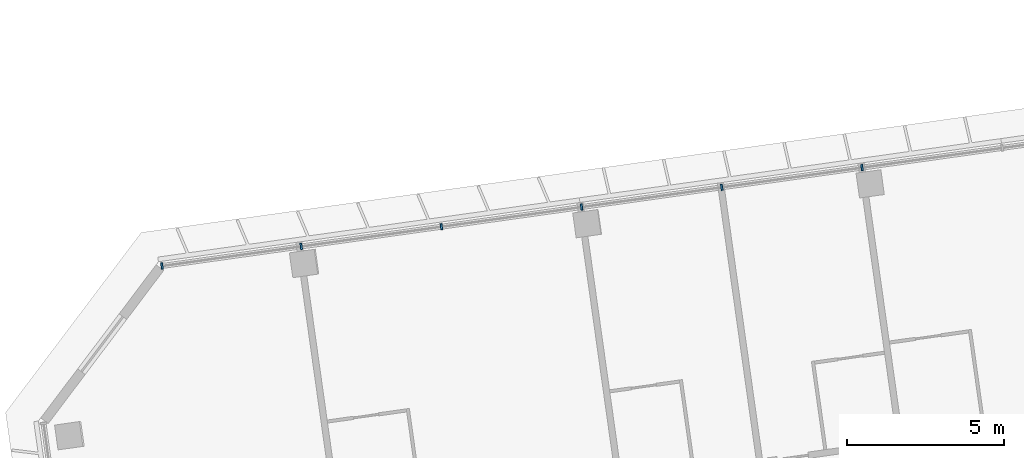
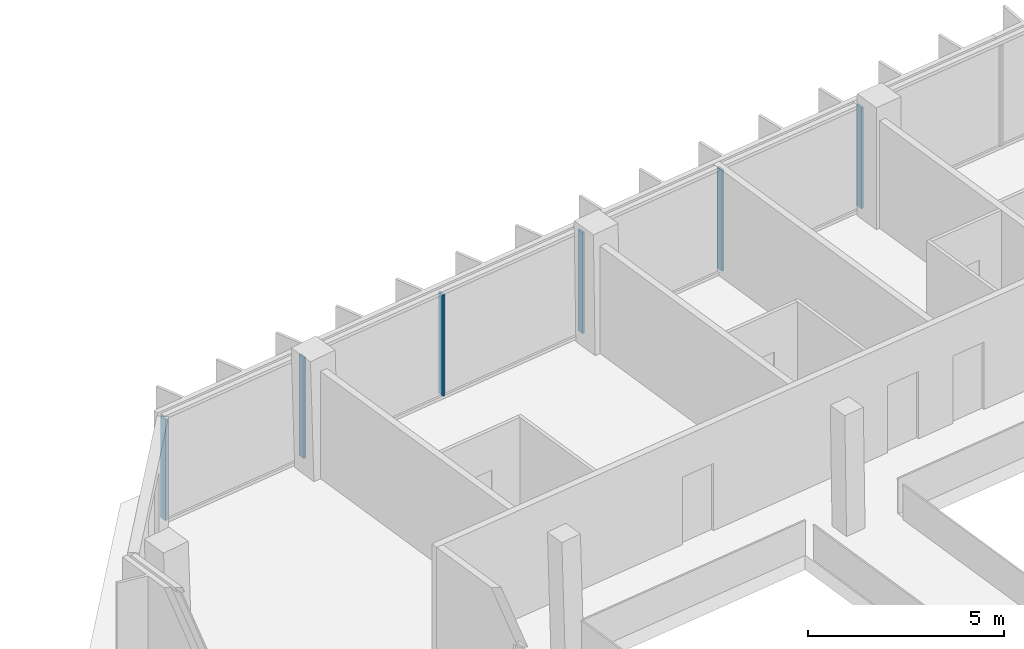
# One storey, part 11 of 26: 6 members, 1 element without a shape of its own.
"""IFC4 building model written with IfcOpenShell, lengths in metres."""

from ifc_helpers import new_model, si_unit, direction, frame, origin, origin_2d, place, context, subcontext, project, spatial, rectangle, extrude, material, material_profile, profile_set, type_object, element, aggregate, save


model = new_model("IFC4")

# Units and contexts
model_context = context("Model", 3, precision=1e-05, world=origin(), true_north=direction((0.0, 1.0)))
body_context = subcontext(model_context, "Body", "Model", "MODEL_VIEW")
ifc_project = project(units=[si_unit("LENGTHUNIT", "METRE"), si_unit("AREAUNIT", "SQUARE_METRE"), si_unit("VOLUMEUNIT", "CUBIC_METRE"), si_unit("PLANEANGLEUNIT", "RADIAN"), si_unit("MASSUNIT", "GRAM", prefix="KILO")], contexts=[model_context])

# Site, building, storey
site_placement = place(None, origin())
site = spatial("IfcSite", under=ifc_project, at=site_placement, CompositionType="ELEMENT")
building_placement = place(site_placement, origin())
building = spatial("IfcBuilding", under=site, at=building_placement, Name="Mirante Cascada Hotel Towers", CompositionType="ELEMENT")
storey_placement = place(building_placement, frame((0.0, 0.0, 168.8)))
storey = spatial("IfcBuildingStorey", under=building, at=storey_placement, Name="L39", CompositionType="ELEMENT", Elevation=168.8)

# Curtain wall, members
ifc_material_1 = material(Name="Aluminium mullion and transom frame with clear laminated glass", Category="aluminium")
curtain_wall_type = type_object("IfcCurtainWallType", Name="Ribbon curtain wall ECW1", PredefinedType="NOTDEFINED", material=ifc_material_1)
curtain_wall_placement = place(storey_placement, origin())
curtain_wall = element("IfcCurtainWall", 1, at=curtain_wall_placement, inside=storey, type_object=curtain_wall_type, Name="Front ribbon wall T2 L39", PredefinedType="NOTDEFINED")
ifc_material_2 = material(Name="Anodised aluminium extrusion", Category="aluminium")
ifc_material_profile = material_profile(ifc_material_2, rectangle(XDim=0.2, YDim=0.065, at=origin_2d()), Name="ECW1 MULLION 65x200")
ifc_profile_set = profile_set([ifc_material_profile], Name="Anodised aluminium extrusion")
member_type = type_object("IfcMemberType", Name="ECW1 mullion 65x200", PredefinedType="MULLION", material=ifc_profile_set)
member_1_placement = place(storey_placement, frame((53.929, 20.3983, 0.1), z_axis=(0.0, 0.0, 1.0), x_axis=(0.1391731, -0.9902681, 0.0)))
member_1 = element("IfcMember", 2, at=member_1_placement, type_object=member_type, Name="ECW1 mullion 8", PredefinedType="MULLION", context=body_context, shape_type="SweptSolid", body=[
    extrude(rectangle(XDim=0.2, YDim=0.065, at=origin_2d()), origin(), (0.0, 0.0, 1.0), 3.15),
])
member_2_placement = place(storey_placement, frame((49.4552, 19.7695, 0.1), z_axis=(0.0, 0.0, 1.0), x_axis=(0.1391731, -0.9902681, 0.0)))
member_2 = element("IfcMember", 3, at=member_2_placement, type_object=member_type, Name="ECW1 mullion 9", PredefinedType="MULLION", context=body_context, shape_type="SweptSolid", body=[
    extrude(rectangle(XDim=0.2, YDim=0.065, at=origin_2d()), origin(), (0.0, 0.0, 1.0), 3.15),
])
member_3_placement = place(storey_placement, frame((44.9814, 19.1407, 0.1), z_axis=(0.0, 0.0, 1.0), x_axis=(0.1391731, -0.9902681, 0.0)))
member_3 = element("IfcMember", 4, at=member_3_placement, type_object=member_type, Name="ECW1 mullion 10", PredefinedType="MULLION", context=body_context, shape_type="SweptSolid", body=[
    extrude(rectangle(XDim=0.2, YDim=0.065, at=origin_2d()), origin(), (0.0, 0.0, 1.0), 3.15),
])
member_4_placement = place(storey_placement, frame((40.5076, 18.512, 0.1), z_axis=(0.0, 0.0, 1.0), x_axis=(0.1391731, -0.9902681, 0.0)))
member_4 = element("IfcMember", 5, at=member_4_placement, type_object=member_type, Name="ECW1 mullion 11", PredefinedType="MULLION", context=body_context, shape_type="SweptSolid", body=[
    extrude(rectangle(XDim=0.2, YDim=0.065, at=origin_2d()), origin(), (0.0, 0.0, 1.0), 3.15),
])
member_5_placement = place(storey_placement, frame((36.0338, 17.8832, 0.1), z_axis=(0.0, 0.0, 1.0), x_axis=(0.1391731, -0.9902681, 0.0)))
member_5 = element("IfcMember", 6, at=member_5_placement, type_object=member_type, Name="ECW1 mullion 12", PredefinedType="MULLION", context=body_context, shape_type="SweptSolid", body=[
    extrude(rectangle(XDim=0.2, YDim=0.065, at=origin_2d()), origin(), (0.0, 0.0, 1.0), 3.15),
])
member_6_placement = place(storey_placement, frame((31.5921, 17.259, 0.1), z_axis=(0.0, 0.0, 1.0), x_axis=(0.1391731, -0.9902681, 0.0)))
member_6 = element("IfcMember", 7, at=member_6_placement, type_object=member_type, Name="ECW1 mullion 13", PredefinedType="MULLION", context=body_context, shape_type="SweptSolid", body=[
    extrude(rectangle(XDim=0.2, YDim=0.065, at=origin_2d()), origin(), (0.0, 0.0, 1.0), 3.15),
])
aggregate(curtain_wall, [member_1, member_2, member_3, member_4, member_5, member_6])

save(model, "model.ifc")
